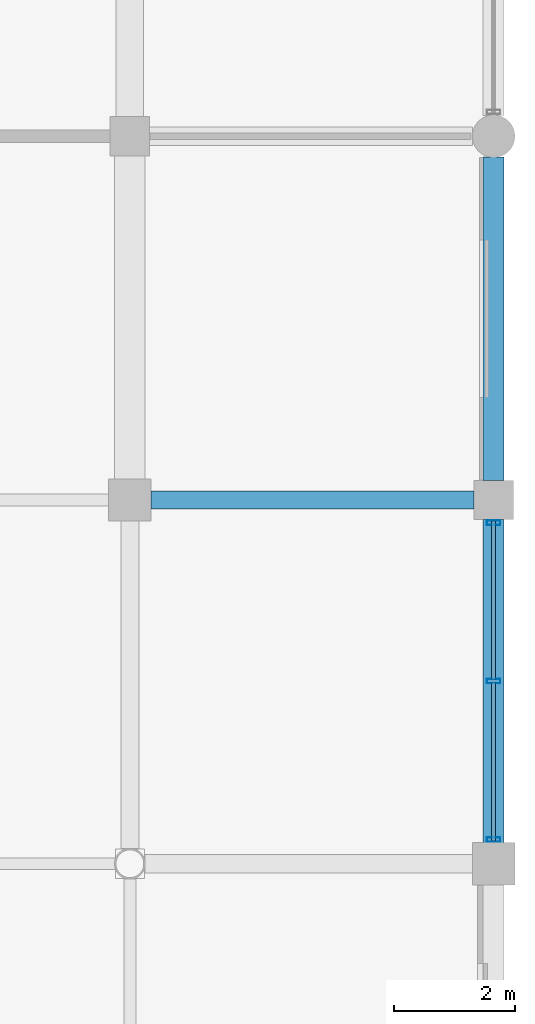
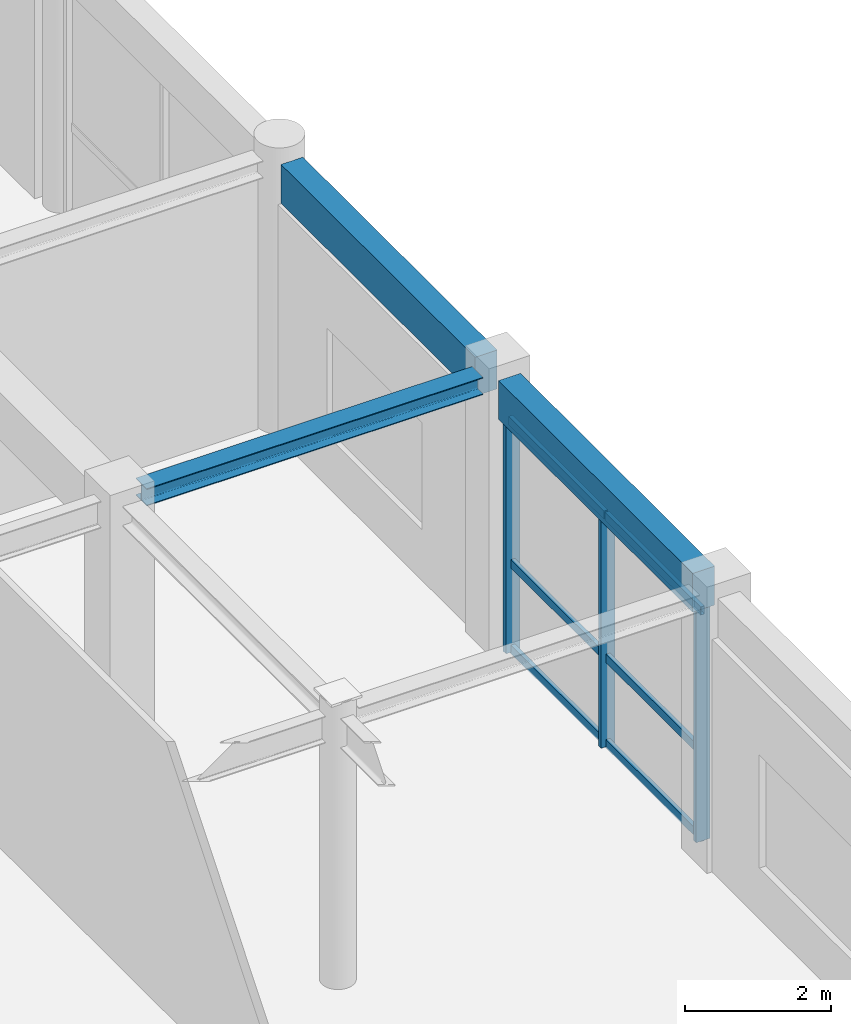
# One storey, part 71 of 112: 9 members, 3 beams, 1 element without a shape of its own.
"""IFC4 building model written with IfcOpenShell, lengths in metres."""

import ifcopenshell
import ifcopenshell.guid

model = None  # the IFC model being written
_history = None  # IfcOwnerHistory: only IFC2X3 demands one
_inside = {}  # id of a spatial element -> (the spatial element, [elements in it])
_under = {}  # id of a project, library or spatial element -> (it, [spatial elements below it])
_declared = {}  # id of a project -> (the project, [libraries it declares])
_typed = {}  # id of a type object -> (the type object, [elements of that type])
_made_of = {}  # id of a material, layer set ... -> (it, [elements and type objects made of it])


def new_model(schema):
    """Start an empty IFC model of exactly this schema.

    Asked for "IFC4X3", IfcOpenShell would pick the latest addendum, in which some entities
    have other attributes; the version numbers below select the first issue.
    IFC2X3 requires an IfcOwnerHistory on every rooted entity: one is made here for all.
    """
    global model, _history
    if schema == "IFC4X3":
        model = ifcopenshell.file(schema_version=(4, 3, 0, 0))
    else:
        model = ifcopenshell.file(schema=schema)
    _inside.clear()
    _under.clear()
    _declared.clear()
    _typed.clear()
    _made_of.clear()
    _history = None
    if model.schema == "IFC2X3":
        org = make("IfcOrganization", Name="unknown")
        user = make(
            "IfcPersonAndOrganization",
            ThePerson=make("IfcPerson", FamilyName="unknown"),
            TheOrganization=org,
        )
        app = make(
            "IfcApplication",
            ApplicationDeveloper=org,
            Version="unknown",
            ApplicationFullName="unknown",
            ApplicationIdentifier="unknown",
        )
        _history = make(
            "IfcOwnerHistory",
            OwningUser=user,
            OwningApplication=app,
            ChangeAction="ADDED",
            CreationDate=0,
        )
    return model


def make(cls, **values):
    """One entity of the class cls with the attributes given. An attribute that is None is left unset."""
    return model.create_entity(
        cls, **{name: value for name, value in values.items() if value is not None}
    )


def rooted(cls, **values):
    """An entity with a GlobalId (a new one), such as an element, a storey or a relation."""
    return make(cls, GlobalId=ifcopenshell.guid.new(), OwnerHistory=_history, **values)


def si_unit(unit_type, name, prefix=None):
    """IfcSIUnit, for example si_unit("LENGTHUNIT", "METRE", prefix="MILLI")."""
    return make("IfcSIUnit", UnitType=unit_type, Prefix=prefix, Name=name)


def assignment(units):
    """IfcUnitAssignment: the units of a project."""
    return None if units is None else make("IfcUnitAssignment", Units=units)


def point(xyz):
    """IfcCartesianPoint."""
    return None if xyz is None else make("IfcCartesianPoint", Coordinates=xyz)


def direction(xyz):
    """IfcDirection."""
    return None if xyz is None else make("IfcDirection", DirectionRatios=xyz)


def frame(location, z_axis=None, x_axis=None):
    """IfcAxis2Placement3D, a coordinate frame: its origin and axes. An axis left out is left unset."""
    return make(
        "IfcAxis2Placement3D",
        Location=point(location),
        Axis=direction(z_axis),
        RefDirection=direction(x_axis),
    )


def frame_2d(location, x_axis=None):
    """IfcAxis2Placement2D, a coordinate frame in the plane: its origin and x axis."""
    return make(
        "IfcAxis2Placement2D", Location=point(location), RefDirection=direction(x_axis)
    )


def origin():
    """The frame at (0, 0, 0) with its axes left unset."""
    return frame((0.0, 0.0, 0.0))


def origin_2d():
    """The frame at (0, 0) in the plane with its x axis left unset."""
    return frame_2d((0.0, 0.0))


def place(relative_to, where):
    """IfcLocalPlacement: puts the frame where relative to a parent placement (None: the world)."""
    return make(
        "IfcLocalPlacement", PlacementRelTo=relative_to, RelativePlacement=where
    )


def context(
    kind, dimensions, precision=None, world=None, true_north=None, identifier=None
):
    """IfcGeometricRepresentationContext, for example the 3D "Model" context."""
    return make(
        "IfcGeometricRepresentationContext",
        ContextIdentifier=identifier,
        ContextType=kind,
        CoordinateSpaceDimension=dimensions,
        Precision=precision,
        WorldCoordinateSystem=world,
        TrueNorth=true_north,
    )


def subcontext(parent, identifier, kind, view, scale=None):
    """IfcGeometricRepresentationSubContext, for example "Body" below "Model"."""
    return make(
        "IfcGeometricRepresentationSubContext",
        ContextIdentifier=identifier,
        ContextType=kind,
        ParentContext=parent,
        TargetScale=scale,
        TargetView=view,
    )


def project(units=None, contexts=None):
    """IfcProject with its units and contexts."""
    return rooted(
        "IfcProject",
        Name="project",
        RepresentationContexts=contexts,
        UnitsInContext=assignment(units),
    )


def spatial(cls, under=None, at=None, **own):
    """A site, building, storey or space (cls), placed at a placement, below another one or the project."""
    s = rooted(cls, ObjectPlacement=at, **own)
    if under is not None:
        _under.setdefault(under.id(), (under, []))[1].append(s)
    return s


def profile(cls, at=None, kind="AREA", **sizes):
    """A parametric profile (cls). Its sizes go by their IFC names, for example OverallWidth=200.0."""
    return make(cls, ProfileType=kind, Position=at, **sizes)


def rectangle(**sizes):
    """IfcRectangleProfileDef."""
    return profile("IfcRectangleProfileDef", **sizes)


def hollow_rectangle(**sizes):
    """IfcRectangleHollowProfileDef."""
    return profile("IfcRectangleHollowProfileDef", **sizes)


def i_section(**sizes):
    """IfcIShapeProfileDef."""
    return profile("IfcIShapeProfileDef", **sizes)


def extrude(swept, where, along, depth):
    """IfcExtrudedAreaSolid: the profile swept, set in the frame where, extruded along a direction by depth."""
    return make(
        "IfcExtrudedAreaSolid",
        SweptArea=swept,
        Position=where,
        ExtrudedDirection=direction(along),
        Depth=depth,
    )


def shape(context_of_items, identifier, shape_type, items):
    """IfcShapeRepresentation: the items that make up one representation, for example the "Body"."""
    return make(
        "IfcShapeRepresentation",
        ContextOfItems=context_of_items,
        RepresentationIdentifier=identifier,
        RepresentationType=shape_type,
        Items=items,
    )


def material(Name=None, Category=None):
    """IfcMaterial."""
    return make("IfcMaterial", Name=Name, Category=Category)


def material_profile(
    of_material, cross_section, Name=None, Category=None, Priority=None
):
    """IfcMaterialProfile: a cross section and its material."""
    return make(
        "IfcMaterialProfile",
        Name=Name,
        Material=of_material,
        Profile=cross_section,
        Priority=Priority,
        Category=Category,
    )


def profile_set(profiles, Name=None, composite=None):
    """IfcMaterialProfileSet."""
    return make(
        "IfcMaterialProfileSet",
        Name=Name,
        MaterialProfiles=profiles,
        CompositeProfile=composite,
    )


def made_of(thing, what):
    """Note that an element or type object is made of a material, layer set ...; save() writes the relation."""
    if what is not None:
        _made_of.setdefault(what.id(), (what, []))[1].append(thing)
    return thing


def type_object(cls, material=None, **own):
    """A type object (cls), such as IfcWallType, which elements share."""
    return made_of(rooted(cls, **own), material)


def element(
    cls,
    number,
    at=None,
    inside=None,
    cuts=None,
    type_object=None,
    material=None,
    context=None,
    identifier="Body",
    shape_type=None,
    held_by="IfcProductDefinitionShape",
    body=None,
    shapes=None,
    **own,
):
    """One element of the class cls, such as IfcWall. Its Tag is "e" and its number.

    at: its placement. inside: the storey or other place that contains it. cuts: it is an
    opening in that element (IfcRelVoidsElement). A single representation is given by context,
    identifier, shape_type and body (its items); several are given by shapes. held_by: the class
    of the entity that holds the representations. save() writes the other relations.
    """
    e = rooted(cls, Tag="e%d" % number, ObjectPlacement=at, **own)
    if body is not None:
        shapes = [shape(context, identifier, shape_type, body)]
    if shapes is not None:
        e.Representation = make(held_by, Representations=shapes)
    if inside is not None:
        _inside.setdefault(inside.id(), (inside, []))[1].append(e)
    if cuts is not None:
        rooted(
            "IfcRelVoidsElement", RelatingBuildingElement=cuts, RelatedOpeningElement=e
        )
    if type_object is not None:
        _typed.setdefault(type_object.id(), (type_object, []))[1].append(e)
    return made_of(e, material)


def aggregate(whole, parts):
    """IfcRelAggregates: a whole, such as a stair, and the parts it consists of."""
    return rooted("IfcRelAggregates", RelatingObject=whole, RelatedObjects=parts)


def save(model, path):
    """Write the relations noted so far, then the file.

    IfcRelAggregates (storeys below a building ...), IfcRelContainedInSpatialStructure (elements
    in a storey), IfcRelDefinesByType, IfcRelAssociatesMaterial and IfcRelDeclares: one each for
    every whole, place, type object, material and project.
    """
    for whole, parts in _under.values():
        aggregate(whole, parts)
    for where, things in _inside.values():
        rooted(
            "IfcRelContainedInSpatialStructure",
            RelatedElements=things,
            RelatingStructure=where,
        )
    for kind, things in _typed.values():
        rooted("IfcRelDefinesByType", RelatedObjects=things, RelatingType=kind)
    for what, things in _made_of.values():
        rooted("IfcRelAssociatesMaterial", RelatedObjects=things, RelatingMaterial=what)
    for by, libraries in _declared.values():
        rooted("IfcRelDeclares", RelatingContext=by, RelatedDefinitions=libraries)
    model.write(path)


model = new_model("IFC4")

# Units and contexts
model_context = context("Model", 3, precision=1e-05, world=origin(), true_north=direction((0.0, 1.0)))
body_context = subcontext(model_context, "Body", "Model", "MODEL_VIEW")
ifc_project = project(units=[si_unit("LENGTHUNIT", "METRE"), si_unit("AREAUNIT", "SQUARE_METRE"), si_unit("VOLUMEUNIT", "CUBIC_METRE"), si_unit("PLANEANGLEUNIT", "RADIAN"), si_unit("MASSUNIT", "GRAM", prefix="KILO"), si_unit("THERMODYNAMICTEMPERATUREUNIT", "KELVIN"), si_unit("POWERUNIT", "WATT")], contexts=[model_context])

# Site, building, storey
site_placement = place(None, origin())
site = spatial("IfcSite", under=ifc_project, at=site_placement, CompositionType="ELEMENT")
building_placement = place(site_placement, origin())
building = spatial("IfcBuilding", under=site, at=building_placement, Name="Phaisarnlok Congress Hotel", CompositionType="ELEMENT")
storey_placement = place(building_placement, frame((0.0, 0.0, 19.800048828125)))
storey = spatial("IfcBuildingStorey", under=building, at=storey_placement, Name="L04", CompositionType="ELEMENT", Elevation=19.800048828125)

# Beam
ifc_material_1 = material(Name="Steel S355", Category="steel")
ifc_material_profile_1 = material_profile(ifc_material_1, i_section(OverallWidth=0.300048828125, OverallDepth=0.2900390625, WebThickness=0.008544921875, FlangeThickness=0.013916015625, FilletRadius=0.027099609375, at=origin_2d()), Name="HEA 300")
ifc_profile_set_1 = profile_set([ifc_material_profile_1], Name="Steel S355")
beam_type_1 = type_object("IfcBeamType", Name="BM-STL-HEA300", PredefinedType="BEAM", material=ifc_profile_set_1)
beam_placement = place(storey_placement, frame((174.344970703125, 90.0, 4.405029296875), z_axis=(1.0, 0.0, 0.0), x_axis=(0.0, 1.0, 0.0)))
element("IfcBeam", 1, at=beam_placement, inside=storey, type_object=beam_type_1, Name="Beam SB-05", PredefinedType="BEAM", context=body_context, shape_type="SweptSolid", body=[
    extrude(i_section(OverallWidth=0.300048828125, OverallDepth=0.2900390625, WebThickness=0.008544921875, FlangeThickness=0.013916015625, FilletRadius=0.027099609375, at=origin_2d()), origin(), (0.0, 0.0, 1.0), 5.3349609375),
])

# Curtain wall, members
ifc_material_2 = material(Name="Thermally Broken Unitised Aluminium & Low-E Glazing", Category="aluminium")
curtain_wall_type = type_object("IfcCurtainWallType", Name="CW-UNIT-33", PredefinedType="NOTDEFINED", material=ifc_material_2)
curtain_wall_placement = place(storey_placement, origin())
curtain_wall = element("IfcCurtainWall", 2, at=curtain_wall_placement, inside=storey, type_object=curtain_wall_type, Name="Unitised curtain wall CW-33 (L04)", PredefinedType="NOTDEFINED")
ifc_material_3 = material(Name="Anodised Aluminium Alloy 6063-T6", Category="aluminium")
ifc_material_profile_2 = material_profile(ifc_material_3, hollow_rectangle(XDim=0.074951171875, YDim=0.219970703125, WallThickness=0.0048828125, at=origin_2d()), Name="ALU-M 75x220x5")
ifc_profile_set_2 = profile_set([ifc_material_profile_2], Name="Anodised Aluminium Alloy 6063-T6")
member_type_1 = type_object("IfcMemberType", Name="CWM-220", PredefinedType="MULLION", material=ifc_profile_set_2)
member_1_placement = place(storey_placement, frame((180.0, 84.39990234375, 0.0), z_axis=(0.0, 0.0, 1.0), x_axis=(0.0, 1.0, 0.0)))
member_1 = element("IfcMember", 3, at=member_1_placement, type_object=member_type_1, Name="Curtain wall mullion CWM-02", PredefinedType="MULLION", context=body_context, shape_type="SweptSolid", body=[
    extrude(hollow_rectangle(XDim=0.074951171875, YDim=0.219970703125, WallThickness=0.0048828125, at=origin_2d()), origin(), (0.0, 0.0, 1.0), 3.89990234375),
])
member_2_placement = place(storey_placement, frame((180.0, 87.012451171875, 0.0), z_axis=(0.0, 0.0, 1.0), x_axis=(0.0, 1.0, 0.0)))
member_2 = element("IfcMember", 4, at=member_2_placement, type_object=member_type_1, Name="Curtain wall mullion CWM-02", PredefinedType="MULLION", context=body_context, shape_type="SweptSolid", body=[
    extrude(hollow_rectangle(XDim=0.074951171875, YDim=0.219970703125, WallThickness=0.0048828125, at=origin_2d()), origin(), (0.0, 0.0, 1.0), 3.89990234375),
])
member_3_placement = place(storey_placement, frame((180.0, 89.625, 0.0), z_axis=(0.0, 0.0, 1.0), x_axis=(0.0, 1.0, 0.0)))
member_3 = element("IfcMember", 5, at=member_3_placement, type_object=member_type_1, Name="Curtain wall mullion CWM-02", PredefinedType="MULLION", context=body_context, shape_type="SweptSolid", body=[
    extrude(hollow_rectangle(XDim=0.074951171875, YDim=0.219970703125, WallThickness=0.0048828125, at=origin_2d()), origin(), (0.0, 0.0, 1.0), 3.89990234375),
])
ifc_material_profile_3 = material_profile(ifc_material_3, hollow_rectangle(XDim=0.06494140625, YDim=0.139892578125, WallThickness=0.00390625, at=origin_2d()), Name="ALU-T 65x140x4")
ifc_profile_set_3 = profile_set([ifc_material_profile_3], Name="Anodised Aluminium Alloy 6063-T6")
member_type_2 = type_object("IfcMemberType", Name="CWT-150", PredefinedType="USERDEFINED", material=ifc_profile_set_3)
member_4_placement = place(storey_placement, frame((180.0, 84.375, 0.050048828125), z_axis=(0.0, 1.0, 0.0), x_axis=(-1.0, 0.0, 0.0)))
member_4 = element("IfcMember", 6, at=member_4_placement, type_object=member_type_2, Name="Curtain wall transom CWT-01", ObjectType="TRANSOM", PredefinedType="USERDEFINED", context=body_context, shape_type="SweptSolid", body=[
    extrude(hollow_rectangle(XDim=0.06494140625, YDim=0.139892578125, WallThickness=0.00390625, at=origin_2d()), origin(), (0.0, 0.0, 1.0), 2.62255859375),
])
member_5_placement = place(storey_placement, frame((180.0, 84.375, 1.48193359375), z_axis=(0.0, 1.0, 0.0), x_axis=(-1.0, 0.0, 0.0)))
member_5 = element("IfcMember", 7, at=member_5_placement, type_object=member_type_2, Name="Curtain wall transom CWT-01", ObjectType="TRANSOM", PredefinedType="USERDEFINED", context=body_context, shape_type="SweptSolid", body=[
    extrude(hollow_rectangle(XDim=0.06494140625, YDim=0.139892578125, WallThickness=0.00390625, at=origin_2d()), origin(), (0.0, 0.0, 1.0), 2.62255859375),
])
member_6_placement = place(storey_placement, frame((180.0, 84.375, 3.849853515625), z_axis=(0.0, 1.0, 0.0), x_axis=(-1.0, 0.0, 0.0)))
member_6 = element("IfcMember", 8, at=member_6_placement, type_object=member_type_2, Name="Curtain wall transom CWT-01", ObjectType="TRANSOM", PredefinedType="USERDEFINED", context=body_context, shape_type="SweptSolid", body=[
    extrude(hollow_rectangle(XDim=0.06494140625, YDim=0.139892578125, WallThickness=0.00390625, at=origin_2d()), origin(), (0.0, 0.0, 1.0), 2.62255859375),
])
member_7_placement = place(storey_placement, frame((180.0, 87.027587890625, 0.050048828125), z_axis=(0.0, 1.0, 0.0), x_axis=(-1.0, 0.0, 0.0)))
member_7 = element("IfcMember", 9, at=member_7_placement, type_object=member_type_2, Name="Curtain wall transom CWT-01", ObjectType="TRANSOM", PredefinedType="USERDEFINED", context=body_context, shape_type="SweptSolid", body=[
    extrude(hollow_rectangle(XDim=0.06494140625, YDim=0.139892578125, WallThickness=0.00390625, at=origin_2d()), origin(), (0.0, 0.0, 1.0), 2.622314453125),
])
member_8_placement = place(storey_placement, frame((180.0, 87.027587890625, 1.48193359375), z_axis=(0.0, 1.0, 0.0), x_axis=(-1.0, 0.0, 0.0)))
member_8 = element("IfcMember", 10, at=member_8_placement, type_object=member_type_2, Name="Curtain wall transom CWT-01", ObjectType="TRANSOM", PredefinedType="USERDEFINED", context=body_context, shape_type="SweptSolid", body=[
    extrude(hollow_rectangle(XDim=0.06494140625, YDim=0.139892578125, WallThickness=0.00390625, at=origin_2d()), origin(), (0.0, 0.0, 1.0), 2.622314453125),
])
member_9_placement = place(storey_placement, frame((180.0, 87.027587890625, 3.849853515625), z_axis=(0.0, 1.0, 0.0), x_axis=(-1.0, 0.0, 0.0)))
member_9 = element("IfcMember", 11, at=member_9_placement, type_object=member_type_2, Name="Curtain wall transom CWT-01", ObjectType="TRANSOM", PredefinedType="USERDEFINED", context=body_context, shape_type="SweptSolid", body=[
    extrude(hollow_rectangle(XDim=0.06494140625, YDim=0.139892578125, WallThickness=0.00390625, at=origin_2d()), origin(), (0.0, 0.0, 1.0), 2.622314453125),
])
aggregate(curtain_wall, [member_1, member_2, member_3, member_4, member_5, member_6, member_7, member_8, member_9])

# Beams
ifc_material_4 = material(Name="Concrete C40/50", Category="concrete")
ifc_material_profile_4 = material_profile(ifc_material_4, rectangle(XDim=0.35009765625, YDim=0.64990234375, at=origin_2d()), Name="RC 350x650")
ifc_profile_set_4 = profile_set([ifc_material_profile_4], Name="Concrete C40/50")
beam_type_2 = type_object("IfcBeamType", Name="SP-RC-350x650", PredefinedType="SPANDREL", material=ifc_profile_set_4)
for number, where, z_axis, x_axis, name in (
    (12, (180.0, 84.344970703125, 4.224853515625), (0.0, 1.0, 0.0), (-1.0, 0.0, 0.0), "Beam SP-01"),
    (13, (180.0, 90.320068359375, 4.224853515625), (0.0, 1.0, 0.0), (-1.0, 0.0, 0.0), "Beam SP-01"),
):
    element("IfcBeam", number, at=place(storey_placement, frame(where, z_axis=z_axis, x_axis=x_axis)), inside=storey, type_object=beam_type_2, Name=name, PredefinedType="SPANDREL", context=body_context, shape_type="SweptSolid", body=[
        extrude(rectangle(XDim=0.35009765625, YDim=0.64990234375, at=origin_2d()), origin(), (0.0, 0.0, 1.0), 5.3349609375),
    ])

save(model, "model.ifc")
